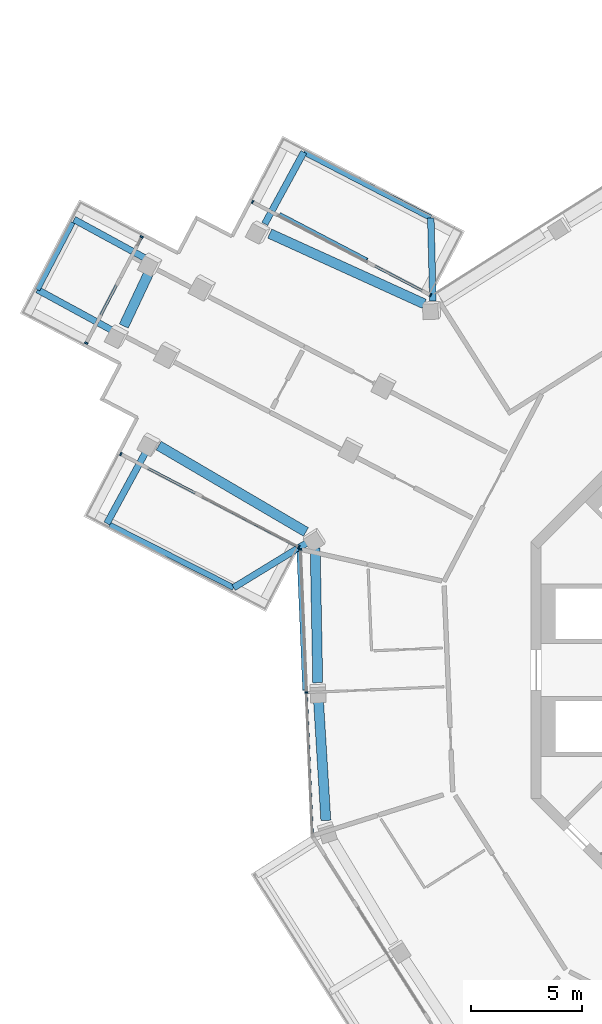
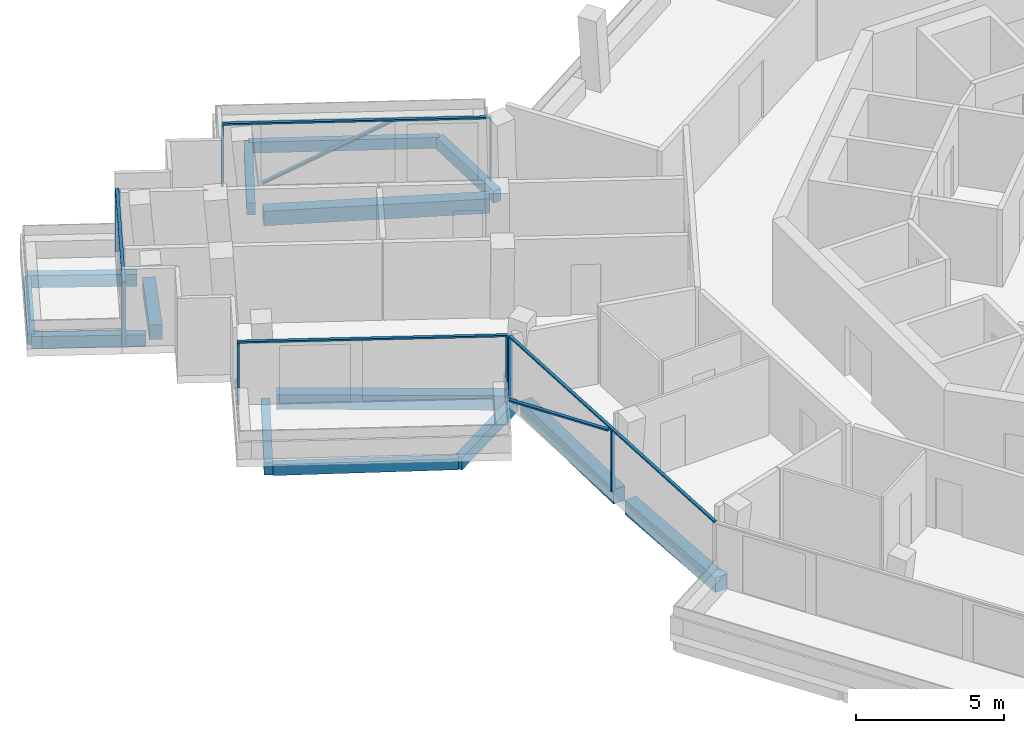
# One storey, part 5 of 23: 14 beams, 14 members, 4 elements without a shape of their own.
"""IFC4 building model written with IfcOpenShell, lengths in metres."""

from ifc_helpers import new_model, si_unit, direction, frame, origin, origin_2d, place, context, subcontext, project, spatial, rectangle, extrude, material, layer, layer_set, material_profile, profile_set, type_object, element, aggregate, save


model = new_model("IFC4")

# Units and contexts
model_context = context("Model", 3, precision=1e-05, world=origin(), true_north=direction((0.0, 1.0)))
body_context = subcontext(model_context, "Body", "Model", "MODEL_VIEW")
ifc_project = project(units=[si_unit("LENGTHUNIT", "METRE"), si_unit("AREAUNIT", "SQUARE_METRE"), si_unit("VOLUMEUNIT", "CUBIC_METRE"), si_unit("PLANEANGLEUNIT", "RADIAN"), si_unit("MASSUNIT", "GRAM", prefix="KILO")], contexts=[model_context])

# Site, building, storey
site_placement = place(None, origin())
site = spatial("IfcSite", under=ifc_project, at=site_placement, CompositionType="ELEMENT")
building_placement = place(site_placement, origin())
building = spatial("IfcBuilding", under=site, at=building_placement, Name="Verdalira Terraces Hotel", CompositionType="ELEMENT")
storey_placement = place(building_placement, frame((0.0, 0.0, 288.0)))
storey = spatial("IfcBuildingStorey", under=building, at=storey_placement, Name="L71", CompositionType="ELEMENT", Elevation=288.0)

# Beams
ifc_material_1 = material(Name="Concrete C40", Category="concrete")
ifc_material_profile_1 = material_profile(ifc_material_1, rectangle(XDim=0.300049, YDim=0.5, at=origin_2d()), Name="RC 300X500")
ifc_profile_set_1 = profile_set([ifc_material_profile_1], Name="Concrete C40")
beam_type_1 = type_object("IfcBeamType", Name="Balcony cantilever beam RC 300X500 C40", PredefinedType="BEAM", material=ifc_profile_set_1)
beam_1_placement = place(storey_placement, frame((-18.44165, 16.684082, -0.560059), z_axis=(-0.025156221, 0.999683532, 0.0), x_axis=(-0.999683532, -0.025156221, 0.0)))
element("IfcBeam", 1, at=beam_1_placement, inside=storey, type_object=beam_type_1, Name="Balcony cantilever beam R00-1", PredefinedType="BEAM", context=body_context, shape_type="SweptSolid", body=[
    extrude(rectangle(XDim=0.300049, YDim=0.5, at=origin_2d()), origin(), (0.0, 0.0, 1.0), 3.755859),
])
beam_2_placement = place(storey_placement, frame((-26.040283, 20.166748, -0.560059), z_axis=(0.478092342, 0.878309577, 0.0), x_axis=(-0.878309577, 0.478092342, 0.0)))
element("IfcBeam", 2, at=beam_2_placement, inside=storey, type_object=beam_type_1, Name="Balcony cantilever beam R00-2", PredefinedType="BEAM", context=body_context, shape_type="SweptSolid", body=[
    extrude(rectangle(XDim=0.300049, YDim=0.5, at=origin_2d()), origin(), (0.0, 0.0, 1.0), 3.693115),
])
beam_3_placement = place(storey_placement, frame((-31.400635, 18.592529, -0.560059), z_axis=(-0.878315221, 0.478081972, 0.0), x_axis=(-0.478081972, -0.878315221, 0.0)))
element("IfcBeam", 3, at=beam_3_placement, inside=storey, type_object=beam_type_1, Name="Balcony cantilever beam R05-1", PredefinedType="BEAM", context=body_context, shape_type="SweptSolid", body=[
    extrude(rectangle(XDim=0.300049, YDim=0.5, at=origin_2d()), origin(), (0.0, 0.0, 1.0), 3.709961),
])
beam_4_placement = place(storey_placement, frame((-32.922119, 15.348145, -0.560059), z_axis=(-0.878320118, 0.478072976, 0.0), x_axis=(-0.478072976, -0.878320118, 0.0)))
element("IfcBeam", 4, at=beam_4_placement, inside=storey, type_object=beam_type_1, Name="Balcony cantilever beam R05-2", PredefinedType="BEAM", context=body_context, shape_type="SweptSolid", body=[
    extrude(rectangle(XDim=0.300049, YDim=0.5, at=origin_2d()), origin(), (0.0, 0.0, 1.0), 3.864746),
])
beam_5_placement = place(storey_placement, frame((-31.3479, 9.987793, -0.560059), z_axis=(-0.478038724, -0.87833876, 0.0), x_axis=(0.87833876, -0.478038724, 0.0)))
element("IfcBeam", 5, at=beam_5_placement, inside=storey, type_object=beam_type_1, Name="Balcony cantilever beam R10-1", PredefinedType="BEAM", context=body_context, shape_type="SweptSolid", body=[
    extrude(rectangle(XDim=0.300049, YDim=0.5, at=origin_2d()), origin(), (0.0, 0.0, 1.0), 3.828369),
])
beam_6_placement = place(storey_placement, frame((-24.077393, 5.789062, -0.560059), z_axis=(-0.853165701, -0.521639997, 0.0), x_axis=(0.521639997, -0.853165701, 0.0)))
element("IfcBeam", 6, at=beam_6_placement, inside=storey, type_object=beam_type_1, Name="Balcony cantilever beam R10-2", PredefinedType="BEAM", context=body_context, shape_type="SweptSolid", body=[
    extrude(rectangle(XDim=0.300049, YDim=0.5, at=origin_2d()), origin(), (0.0, 0.0, 1.0), 3.950195),
])
ifc_material_2 = material(Name="Concrete C40", Category="concrete")
ifc_material_profile_2 = material_profile(ifc_material_2, rectangle(XDim=0.25, YDim=0.449951, at=origin_2d()), Name="RC 250X450")
ifc_profile_set_2 = profile_set([ifc_material_profile_2], Name="Concrete C40")
beam_type_2 = type_object("IfcBeamType", Name="Balcony edge beam RC 250X450 C40", PredefinedType="BEAM", material=ifc_profile_set_2)
beam_7_placement = place(storey_placement, frame((-18.536133, 20.438721, -0.534912), z_axis=(-0.887997991, 0.459847332, 0.0), x_axis=(-0.459847332, -0.887997991, 0.0)))
element("IfcBeam", 7, at=beam_7_placement, inside=storey, type_object=beam_type_2, Name="Balcony edge beam R00-1", PredefinedType="BEAM", context=body_context, shape_type="SweptSolid", body=[
    extrude(rectangle(XDim=0.25, YDim=0.449951, at=origin_2d()), origin(), (0.0, 0.0, 1.0), 6.462402),
])
beam_8_placement = place(storey_placement, frame((-34.72876, 20.233398, -0.534912), z_axis=(-0.463266923, -0.886218798, 0.0), x_axis=(0.886218798, -0.463266923, 0.0)))
element("IfcBeam", 8, at=beam_8_placement, inside=storey, type_object=beam_type_2, Name="Balcony edge beam R05-1", PredefinedType="BEAM", context=body_context, shape_type="SweptSolid", body=[
    extrude(rectangle(XDim=0.25, YDim=0.449951, at=origin_2d()), origin(), (0.0, 0.0, 1.0), 3.42749),
])
beam_9_placement = place(storey_placement, frame((-33.044189, 6.557617, -0.534912), z_axis=(0.892456455, -0.451133546, 0.0), x_axis=(0.451133546, 0.892456455, 0.0)))
element("IfcBeam", 9, at=beam_9_placement, inside=storey, type_object=beam_type_2, Name="Balcony edge beam R10-1", PredefinedType="BEAM", context=body_context, shape_type="SweptSolid", body=[
    extrude(rectangle(XDim=0.25, YDim=0.449951, at=origin_2d()), origin(), (0.0, 0.0, 1.0), 6.270996),
])

# Curtain wall, members
ifc_material_3 = material(Name="Clear glass", Category="glass")
ifc_layer_1 = layer(ifc_material_3, 0.14990234375)
ifc_layer_set_1 = layer_set([ifc_layer_1], Name="CW1 curtain wall")
curtain_wall_type_1 = type_object("IfcCurtainWallType", Name="CW1 curtain wall", PredefinedType="NOTDEFINED", material=ifc_layer_set_1)
curtain_wall_1_placement = place(storey_placement, origin())
curtain_wall_1 = element("IfcCurtainWall", 10, at=curtain_wall_1_placement, inside=storey, type_object=curtain_wall_type_1, Name="CW1 curtain wall L71 edge 11", PredefinedType="NOTDEFINED")
ifc_material_4 = material(Name="Terracotta frame", Category="masonry")
ifc_material_profile_3 = material_profile(ifc_material_4, rectangle(XDim=0.060059, YDim=0.149902, at=origin_2d()), Name="MU 60x150")
ifc_profile_set_3 = profile_set([ifc_material_profile_3], Name="Terracotta frame")
member_type_1 = type_object("IfcMemberType", Name="CW1 mullion 60x150", PredefinedType="MULLION", material=ifc_profile_set_3)
member_1_placement = place(storey_placement, frame((-24.433105, 5.45166, 0.0), z_axis=(0.0, 0.0, 1.0), x_axis=(0.041875654, -0.99912283, 0.0)))
member_1 = element("IfcMember", 11, at=member_1_placement, type_object=member_type_1, Name="CW1 mullion", PredefinedType="MULLION", context=body_context, shape_type="SweptSolid", body=[
    extrude(rectangle(XDim=0.060059, YDim=0.149902, at=origin_2d()), origin(), (0.0, 0.0, 1.0), 2.524902),
])
member_2_placement = place(storey_placement, frame((-24.162109, -1.012695, 0.0), z_axis=(0.0, 0.0, 1.0), x_axis=(0.041875654, -0.99912283, 0.0)))
member_2 = element("IfcMember", 12, at=member_2_placement, type_object=member_type_1, Name="CW1 mullion", PredefinedType="MULLION", context=body_context, shape_type="SweptSolid", body=[
    extrude(rectangle(XDim=0.060059, YDim=0.149902, at=origin_2d()), origin(), (0.0, 0.0, 1.0), 2.524902),
])
ifc_material_5 = material(Name="Terracotta frame", Category="masonry")
ifc_material_profile_4 = material_profile(ifc_material_5, rectangle(XDim=0.110107, YDim=0.064941, at=origin_2d()), Name="TR 65x110")
ifc_profile_set_4 = profile_set([ifc_material_profile_4], Name="Terracotta frame")
member_type_2 = type_object("IfcMemberType", Name="CW1 transom 65x110", PredefinedType="USERDEFINED", material=ifc_profile_set_4)
member_3_placement = place(storey_placement, frame((-24.434326, 5.481689, 2.557617), z_axis=(0.041877367, -0.999122758, 0.0), x_axis=(0.999122758, 0.041877367, 0.0)))
member_3 = element("IfcMember", 13, at=member_3_placement, type_object=member_type_2, Name="CW1 transom", ObjectType="TRANSOM", PredefinedType="USERDEFINED", context=body_context, shape_type="SweptSolid", body=[
    extrude(rectangle(XDim=0.110107, YDim=0.064941, at=origin_2d()), origin(), (0.0, 0.0, 1.0), 12.959961),
])

ifc_material_6 = material(Name="Clear glass", Category="glass")
ifc_layer_2 = layer(ifc_material_6, 0.14990234375)
ifc_layer_set_2 = layer_set([ifc_layer_2], Name="CW2 curtain wall")
curtain_wall_type_2 = type_object("IfcCurtainWallType", Name="CW2 curtain wall", PredefinedType="NOTDEFINED", material=ifc_layer_set_2)
curtain_wall_2_placement = place(storey_placement, origin())
curtain_wall_2 = element("IfcCurtainWall", 14, at=curtain_wall_2_placement, inside=storey, type_object=curtain_wall_type_2, Name="CW2 curtain wall L71 edge 0", PredefinedType="NOTDEFINED")
ifc_material_7 = material(Name="Terracotta frame", Category="masonry")
ifc_material_profile_5 = material_profile(ifc_material_7, rectangle(XDim=0.070068, YDim=0.149902, at=origin_2d()), Name="MU 70x150")
ifc_profile_set_5 = profile_set([ifc_material_profile_5], Name="Terracotta frame")
member_type_3 = type_object("IfcMemberType", Name="CW2 mullion 70x150", PredefinedType="MULLION", material=ifc_profile_set_5)
member_4_placement = place(storey_placement, frame((-18.552246, 16.948975, 0.0), z_axis=(0.0, 0.0, 1.0), x_axis=(-0.886203579, 0.463296035, 0.0)))
member_4 = element("IfcMember", 15, at=member_4_placement, type_object=member_type_3, Name="CW2 mullion", PredefinedType="MULLION", context=body_context, shape_type="SweptSolid", body=[
    extrude(rectangle(XDim=0.070068, YDim=0.149902, at=origin_2d()), origin(), (0.0, 0.0, 1.0), 2.524902),
])
member_5_placement = place(storey_placement, frame((-26.592041, 21.1521, 0.0), z_axis=(0.0, 0.0, 1.0), x_axis=(-0.886203579, 0.463296035, 0.0)))
member_5 = element("IfcMember", 16, at=member_5_placement, type_object=member_type_3, Name="CW2 mullion", PredefinedType="MULLION", context=body_context, shape_type="SweptSolid", body=[
    extrude(rectangle(XDim=0.070068, YDim=0.149902, at=origin_2d()), origin(), (0.0, 0.0, 1.0), 2.524902),
])

curtain_wall_3_placement = place(storey_placement, origin())
curtain_wall_3 = element("IfcCurtainWall", 17, at=curtain_wall_3_placement, inside=storey, type_object=curtain_wall_type_2, Name="CW2 curtain wall L71 edge 10", PredefinedType="NOTDEFINED")
member_6_placement = place(storey_placement, frame((-32.54541, 9.764404, 0.0), z_axis=(0.0, 0.0, 1.0), x_axis=(0.886203579, -0.463296035, 0.0)))
member_6 = element("IfcMember", 18, at=member_6_placement, type_object=member_type_3, Name="CW2 mullion", PredefinedType="MULLION", context=body_context, shape_type="SweptSolid", body=[
    extrude(rectangle(XDim=0.070068, YDim=0.149902, at=origin_2d()), origin(), (0.0, 0.0, 1.0), 2.524902),
])
member_7_placement = place(storey_placement, frame((-24.505615, 5.561035, 0.0), z_axis=(0.0, 0.0, 1.0), x_axis=(0.886203579, -0.463296035, 0.0)))
member_7 = element("IfcMember", 19, at=member_7_placement, type_object=member_type_3, Name="CW2 mullion", PredefinedType="MULLION", context=body_context, shape_type="SweptSolid", body=[
    extrude(rectangle(XDim=0.070068, YDim=0.149902, at=origin_2d()), origin(), (0.0, 0.0, 1.0), 2.524902),
])

# Member
ifc_material_8 = material(Name="Terracotta frame", Category="masonry")
ifc_material_profile_6 = material_profile(ifc_material_8, rectangle(XDim=0.11499, YDim=0.064941, at=origin_2d()), Name="TR 65x115")
ifc_profile_set_6 = profile_set([ifc_material_profile_6], Name="Terracotta frame")
member_type_4 = type_object("IfcMemberType", Name="CW2 transom 65x115", PredefinedType="USERDEFINED", material=ifc_profile_set_6)
member_8_placement = place(storey_placement, frame((-18.52124, 16.932617, 2.557617), z_axis=(-0.886200276, 0.463302353, 0.0), x_axis=(-0.463302353, -0.886200276, 0.0)))
member_8 = element("IfcMember", 20, at=member_8_placement, type_object=member_type_4, Name="CW2 transom", ObjectType="TRANSOM", PredefinedType="USERDEFINED", context=body_context, shape_type="SweptSolid", body=[
    extrude(rectangle(XDim=0.11499, YDim=0.064941, at=origin_2d()), origin(), (0.0, 0.0, 1.0), 9.14209),
])

member_9_placement = place(storey_placement, frame((-32.576416, 9.780518, 2.557617), z_axis=(0.886200276, -0.463302353, 0.0), x_axis=(0.463302353, 0.886200276, 0.0)))
member_9 = element("IfcMember", 21, at=member_9_placement, type_object=member_type_4, Name="CW2 transom", ObjectType="TRANSOM", PredefinedType="USERDEFINED", context=body_context, shape_type="SweptSolid", body=[
    extrude(rectangle(XDim=0.11499, YDim=0.064941, at=origin_2d()), origin(), (0.0, 0.0, 1.0), 9.14209),
])

aggregate(curtain_wall_3, [member_6, member_7, member_9])

# Curtain wall, members
ifc_material_9 = material(Name="Clear glass", Category="glass")
ifc_layer_3 = layer(ifc_material_9, 0.14990234375)
ifc_layer_set_3 = layer_set([ifc_layer_3], Name="CW3 curtain wall")
curtain_wall_type_3 = type_object("IfcCurtainWallType", Name="CW3 curtain wall", PredefinedType="NOTDEFINED", material=ifc_layer_set_3)
curtain_wall_4_placement = place(storey_placement, origin())
curtain_wall_4 = element("IfcCurtainWall", 22, at=curtain_wall_4_placement, inside=storey, type_object=curtain_wall_type_3, Name="CW3 curtain wall L71 edge 5", PredefinedType="NOTDEFINED")
ifc_material_10 = material(Name="Terracotta frame", Category="masonry")
ifc_material_profile_7 = material_profile(ifc_material_10, rectangle(XDim=0.080078, YDim=0.149902, at=origin_2d()), Name="MU 80x150")
ifc_profile_set_7 = profile_set([ifc_material_profile_7], Name="Terracotta frame")
member_type_5 = type_object("IfcMemberType", Name="CW3 mullion 80x150", PredefinedType="MULLION", material=ifc_profile_set_7)
member_10_placement = place(storey_placement, frame((-31.601074, 19.578613, 0.0), z_axis=(0.0, 0.0, 1.0), x_axis=(-0.463296035, -0.886203579, 0.0)))
member_10 = element("IfcMember", 23, at=member_10_placement, type_object=member_type_5, Name="CW3 mullion", PredefinedType="MULLION", context=body_context, shape_type="SweptSolid", body=[
    extrude(rectangle(XDim=0.080078, YDim=0.149902, at=origin_2d()), origin(), (0.0, 0.0, 1.0), 2.524902),
])
member_11_placement = place(storey_placement, frame((-34.112061, 14.775391, 0.0), z_axis=(0.0, 0.0, 1.0), x_axis=(-0.463296035, -0.886203579, 0.0)))
member_11 = element("IfcMember", 24, at=member_11_placement, type_object=member_type_5, Name="CW3 mullion", PredefinedType="MULLION", context=body_context, shape_type="SweptSolid", body=[
    extrude(rectangle(XDim=0.080078, YDim=0.149902, at=origin_2d()), origin(), (0.0, 0.0, 1.0), 2.524902),
])
ifc_material_11 = material(Name="Terracotta frame", Category="masonry")
ifc_material_profile_8 = material_profile(ifc_material_11, rectangle(XDim=0.120117, YDim=0.064941, at=origin_2d()), Name="TR 65x120")
ifc_profile_set_8 = profile_set([ifc_material_profile_8], Name="Terracotta frame")
member_type_6 = type_object("IfcMemberType", Name="CW3 transom 65x120", PredefinedType="USERDEFINED", material=ifc_profile_set_8)
member_12_placement = place(storey_placement, frame((-31.58252, 19.614014, 2.557617), z_axis=(-0.463298581, -0.886202248, 0.0), x_axis=(0.886202248, -0.463298581, 0.0)))
member_12 = element("IfcMember", 25, at=member_12_placement, type_object=member_type_6, Name="CW3 transom", ObjectType="TRANSOM", PredefinedType="USERDEFINED", context=body_context, shape_type="SweptSolid", body=[
    extrude(rectangle(XDim=0.120117, YDim=0.064941, at=origin_2d()), origin(), (0.0, 0.0, 1.0), 5.5),
])
aggregate(curtain_wall_4, [member_10, member_11, member_12])

# Member
ifc_material_12 = material(Name="Terracotta frame", Category="masonry")
ifc_material_profile_9 = material_profile(ifc_material_12, rectangle(XDim=0.149902, YDim=0.060059, at=origin_2d()), Name="GB 60x150")
ifc_profile_set_9 = profile_set([ifc_material_profile_9], Name="Terracotta frame")
member_type_7 = type_object("IfcMemberType", Name="Diagonal glazing bar 60x150", PredefinedType="USERDEFINED", material=ifc_profile_set_9)
member_13_placement = place(storey_placement, frame((-21.420166, 18.550781, 2.497803), z_axis=(-0.774166857, 0.404732778, -0.486679624), x_axis=(-0.463303341, -0.88619976, 0.0)))
member_13 = element("IfcMember", 26, at=member_13_placement, type_object=member_type_7, Name="Diagonal glazing bar", ObjectType="GLAZING BAR", PredefinedType="USERDEFINED", context=body_context, shape_type="SweptSolid", body=[
    extrude(rectangle(XDim=0.149902, YDim=0.060059, at=origin_2d()), origin(), (0.0, 0.0, 1.0), 5.07666),
])

aggregate(curtain_wall_2, [member_4, member_5, member_8, member_13])

member_14_placement = place(storey_placement, frame((-24.517578, 5.345215, 0.028564), z_axis=(0.038943194, -0.929596529, 0.36651565), x_axis=(0.999123659, 0.041855865, 0.0)))
member_14 = element("IfcMember", 27, at=member_14_placement, type_object=member_type_7, Name="Diagonal glazing bar", ObjectType="GLAZING BAR", PredefinedType="USERDEFINED", context=body_context, shape_type="SweptSolid", body=[
    extrude(rectangle(XDim=0.149902, YDim=0.060059, at=origin_2d()), origin(), (0.0, 0.0, 1.0), 6.733154),
])

aggregate(curtain_wall_1, [member_1, member_2, member_3, member_14])

# Beams
ifc_material_13 = material(Name="Concrete C40", Category="concrete")
ifc_material_profile_10 = material_profile(ifc_material_13, rectangle(XDim=0.449951, YDim=0.600098, at=origin_2d()), Name="RC 450X600")
ifc_profile_set_10 = profile_set([ifc_material_profile_10], Name="Concrete C40")
beam_type_3 = type_object("IfcBeamType", Name="Spandrel beam RC 450X600 C40", PredefinedType="SPANDREL", material=ifc_profile_set_10)
beam_10_placement = place(storey_placement, frame((-18.835205, 16.554199, -0.610107), z_axis=(-0.910244333, 0.414071557, 0.0), x_axis=(-0.414071557, -0.910244333, 0.0)))
element("IfcBeam", 28, at=beam_10_placement, inside=storey, type_object=beam_type_3, Name="Spandrel beam B01", PredefinedType="SPANDREL", context=body_context, shape_type="SweptSolid", body=[
    extrude(rectangle(XDim=0.449951, YDim=0.600098, at=origin_2d()), origin(), (0.0, 0.0, 1.0), 7.668945),
])
beam_11_placement = place(storey_placement, frame((-31.20166, 18.122803, -0.610107), z_axis=(-0.425933477, -0.904754482, 0.0), x_axis=(0.904754482, -0.425933477, 0.0)))
element("IfcBeam", 29, at=beam_11_placement, inside=storey, type_object=beam_type_3, Name="Spandrel beam B02", PredefinedType="SPANDREL", context=body_context, shape_type="SweptSolid", body=[
    extrude(rectangle(XDim=0.449951, YDim=0.600098, at=origin_2d()), origin(), (0.0, 0.0, 1.0), 2.843506),
])
beam_12_placement = place(storey_placement, frame((-30.831787, 10.14502, -0.610107), z_axis=(0.862707972, -0.505702438, 0.0), x_axis=(0.505702438, 0.862707972, 0.0)))
element("IfcBeam", 30, at=beam_12_placement, inside=storey, type_object=beam_type_3, Name="Spandrel beam B03", PredefinedType="SPANDREL", context=body_context, shape_type="SweptSolid", body=[
    extrude(rectangle(XDim=0.449951, YDim=0.600098, at=origin_2d()), origin(), (0.0, 0.0, 1.0), 7.711914),
])
beam_13_placement = place(storey_placement, frame((-23.760986, 5.526855, -0.610107), z_axis=(0.018778475, -0.999823669, 0.0), x_axis=(0.999823669, 0.018778475, 0.0)))
element("IfcBeam", 31, at=beam_13_placement, inside=storey, type_object=beam_type_3, Name="Spandrel beam B04", PredefinedType="SPANDREL", context=body_context, shape_type="SweptSolid", body=[
    extrude(rectangle(XDim=0.449951, YDim=0.600098, at=origin_2d()), origin(), (0.0, 0.0, 1.0), 6.097412),
])
beam_14_placement = place(storey_placement, frame((-23.617676, -1.283447, -0.610107), z_axis=(0.061111861, -0.998130923, 0.0), x_axis=(0.998130923, 0.061111861, 0.0)))
element("IfcBeam", 32, at=beam_14_placement, inside=storey, type_object=beam_type_3, Name="Spandrel beam B05", PredefinedType="SPANDREL", context=body_context, shape_type="SweptSolid", body=[
    extrude(rectangle(XDim=0.449951, YDim=0.600098, at=origin_2d()), origin(), (0.0, 0.0, 1.0), 5.520996),
])

save(model, "model.ifc")
